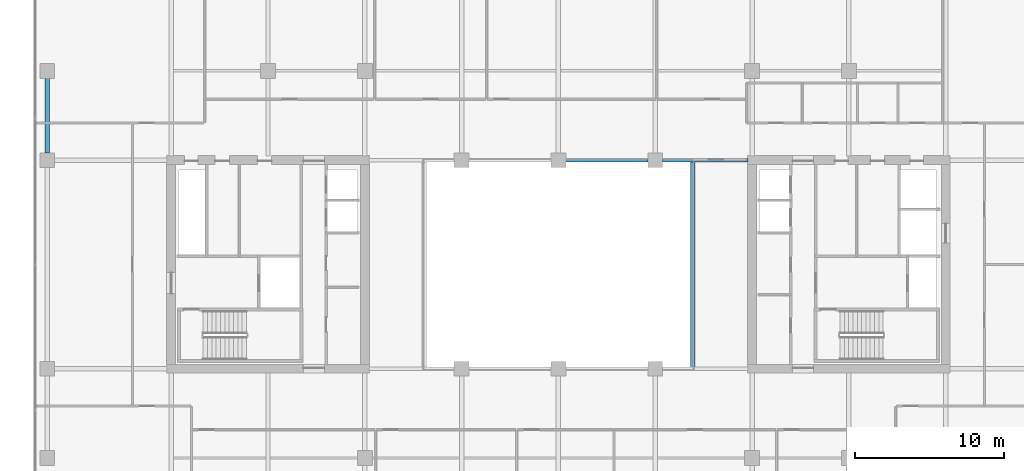
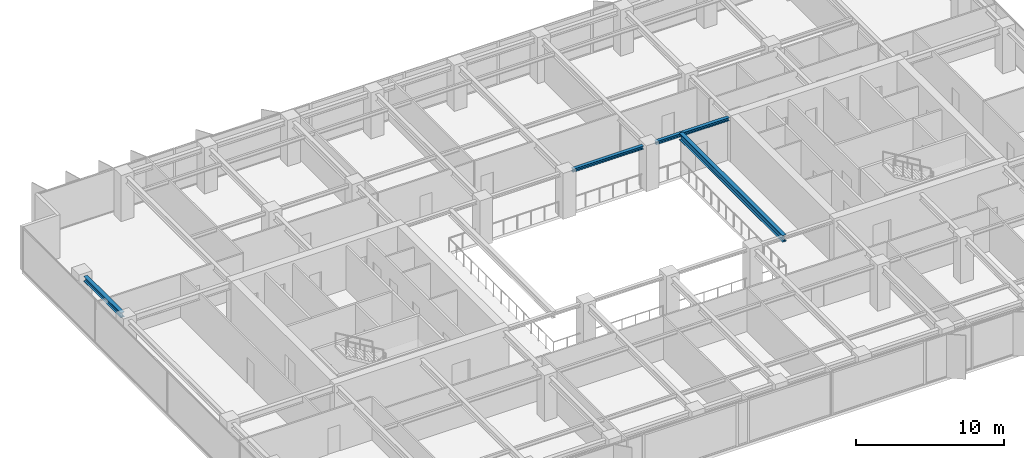
# One storey, part 7 of 22: 4 beams.
"""IFC4 building model written with IfcOpenShell, lengths in metres."""

from ifc_helpers import new_model, si_unit, direction, frame, origin, origin_2d, place, context, subcontext, project, spatial, i_section, extrude, material, material_profile, profile_set, type_object, element, save


model = new_model("IFC4")

# Units and contexts
model_context = context("Model", 3, precision=1e-05, world=origin(), true_north=direction((0.0, 1.0)))
body_context = subcontext(model_context, "Body", "Model", "MODEL_VIEW")
ifc_project = project(units=[si_unit("LENGTHUNIT", "METRE"), si_unit("AREAUNIT", "SQUARE_METRE"), si_unit("VOLUMEUNIT", "CUBIC_METRE"), si_unit("PLANEANGLEUNIT", "RADIAN"), si_unit("MASSUNIT", "GRAM", prefix="KILO")], contexts=[model_context])

# Site, building, storey
site_placement = place(None, origin())
site = spatial("IfcSite", under=ifc_project, at=site_placement, CompositionType="ELEMENT")
building_placement = place(site_placement, origin())
building = spatial("IfcBuilding", under=site, at=building_placement, Name="Putna Gate Headquarters", CompositionType="ELEMENT")
storey_placement = place(building_placement, frame((0.0, 0.0, 167.0)))
storey = spatial("IfcBuildingStorey", under=building, at=storey_placement, Name="L41", CompositionType="ELEMENT", Elevation=167.0)

# Beams
ifc_material = material(Name="Steel S355J2", Category="steel")
ifc_material_profile_1 = material_profile(ifc_material, i_section(OverallWidth=0.260009765625, OverallDepth=0.260009765625, WebThickness=0.010009765625, FlangeThickness=0.017578125, at=origin_2d()), Name="Steel S355J2")
ifc_profile_set_1 = profile_set([ifc_material_profile_1], Name="Steel S355J2")
beam_type_1 = type_object("IfcBeamType", Name="BM-ATRIUM-HEB260", PredefinedType="BEAM", material=ifc_profile_set_1)
beam_1_placement = place(storey_placement, frame((39.488037109375, 33.0, 3.44189453125), z_axis=(1.0, 0.0, 0.0), x_axis=(0.0, 1.0, 0.0)))
element("IfcBeam", 1, at=beam_1_placement, inside=storey, type_object=beam_type_1, Name="L41 Atrium Edge Beam AN3", PredefinedType="BEAM", context=body_context, shape_type="SweptSolid", body=[
    extrude(i_section(OverallWidth=0.260009765625, OverallDepth=0.260009765625, WebThickness=0.010009765625, FlangeThickness=0.017578125, at=origin_2d()), origin(), (0.0, 0.0, 1.0), 5.52392578125),
])
beam_2_placement = place(storey_placement, frame((45.988037109375, 33.0, 3.44189453125), z_axis=(1.0, 0.0, 0.0), x_axis=(0.0, 1.0, 0.0)))
element("IfcBeam", 2, at=beam_2_placement, inside=storey, type_object=beam_type_1, Name="L41 Atrium Edge Beam AN4", PredefinedType="BEAM", context=body_context, shape_type="SweptSolid", body=[
    extrude(i_section(OverallWidth=0.260009765625, OverallDepth=0.260009765625, WebThickness=0.010009765625, FlangeThickness=0.017578125, at=origin_2d()), origin(), (0.0, 0.0, 1.0), 5.72705078125),
])
ifc_material_profile_2 = material_profile(ifc_material, i_section(OverallWidth=0.300048828125, OverallDepth=0.550048828125, WebThickness=0.014892578125, FlangeThickness=0.029052734375, at=origin_2d()), Name="Steel S355J2")
ifc_profile_set_2 = profile_set([ifc_material_profile_2], Name="Steel S355J2")
beam_type_2 = type_object("IfcBeamType", Name="BM-GIRD-Z3-HEB550", PredefinedType="USERDEFINED", material=ifc_profile_set_2)
beam_3_placement = place(storey_placement, frame((48.0, 19.010009765625, 3.297119140625), z_axis=(0.0, 1.0, 0.0), x_axis=(-1.0, 0.0, 0.0)))
element("IfcBeam", 3, at=beam_3_placement, inside=storey, type_object=beam_type_2, Name="L41 Atrium Trim Girder AE", ObjectType="GIRDER", PredefinedType="USERDEFINED", context=body_context, shape_type="SweptSolid", body=[
    extrude(i_section(OverallWidth=0.300048828125, OverallDepth=0.550048828125, WebThickness=0.014892578125, FlangeThickness=0.029052734375, at=origin_2d()), origin(), (0.0, 0.0, 1.0), 13.97998046875),
])
ifc_material_profile_3 = material_profile(ifc_material, i_section(OverallWidth=0.300048828125, OverallDepth=0.39990234375, WebThickness=0.013427734375, FlangeThickness=0.02392578125, at=origin_2d()), Name="Steel S355J2")
ifc_profile_set_3 = profile_set([ifc_material_profile_3], Name="Steel S355J2")
beam_type_3 = type_object("IfcBeamType", Name="BM-SPAN-Z3-HEB400", PredefinedType="SPANDREL", material=ifc_profile_set_3)
beam_4_placement = place(storey_placement, frame((4.679931640625, 33.488037109375, 3.3720703125), z_axis=(0.0, 1.0, 0.0), x_axis=(-1.0, 0.0, 0.0)))
element("IfcBeam", 4, at=beam_4_placement, inside=storey, type_object=beam_type_3, Name="L41 W End Spandrel 3", PredefinedType="SPANDREL", context=body_context, shape_type="SweptSolid", body=[
    extrude(i_section(OverallWidth=0.300048828125, OverallDepth=0.39990234375, WebThickness=0.013427734375, FlangeThickness=0.02392578125, at=origin_2d()), origin(), (0.0, 0.0, 1.0), 5.02392578125),
])

save(model, "model.ifc")
